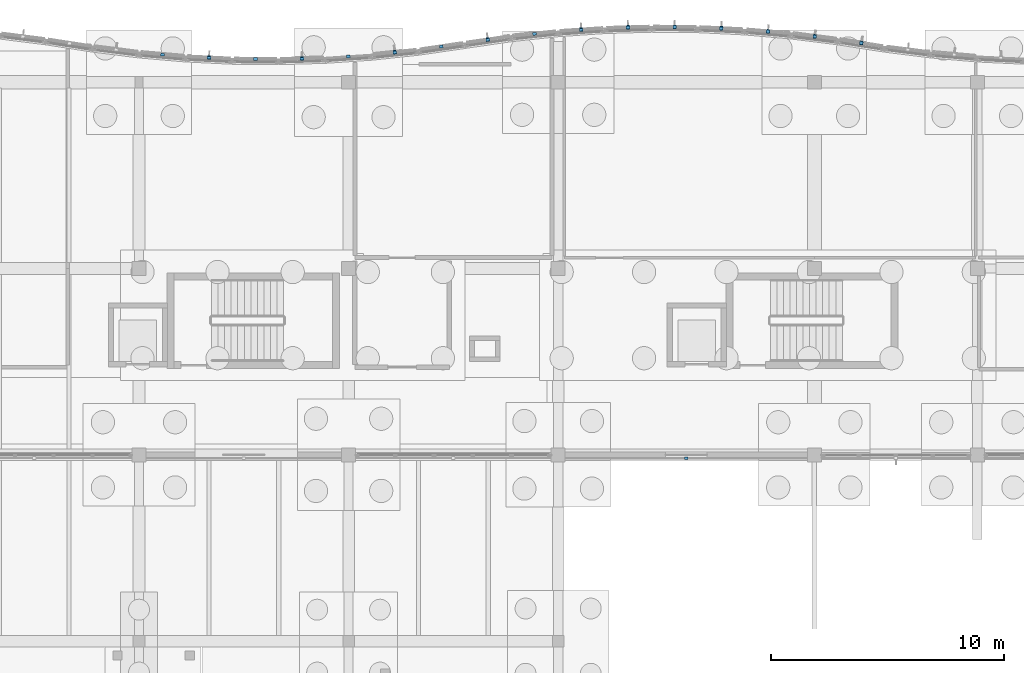
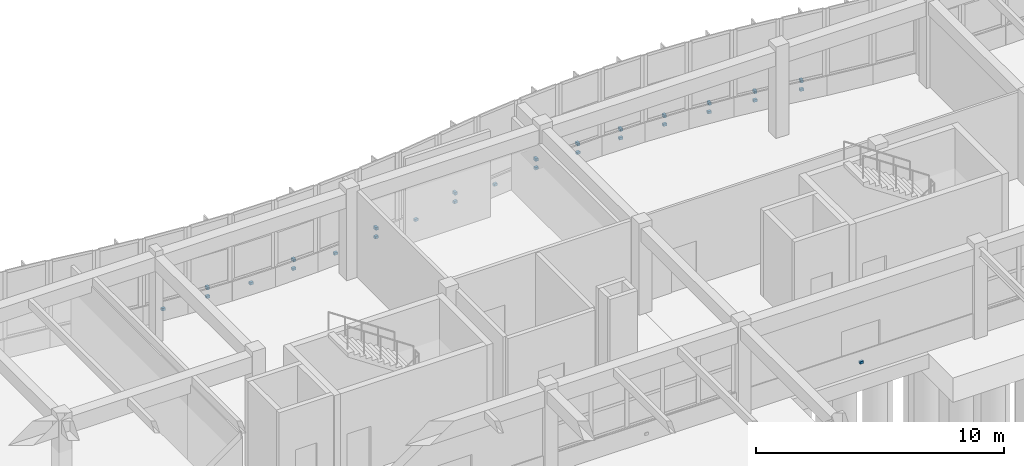
# One storey, part 82 of 99: 28 discrete accessories.
"""IFC4 building model written with IfcOpenShell, lengths in metres."""

from ifc_helpers import new_model, si_unit, direction, frame, origin, origin_2d, place, context, subcontext, project, spatial, rectangle, extrude, material, type_object, element, save


model = new_model("IFC4")

# Units and contexts
model_context = context("Model", 3, precision=1e-05, world=origin(), true_north=direction((0.0, 1.0)))
body_context = subcontext(model_context, "Body", "Model", "MODEL_VIEW")
ifc_project = project(units=[si_unit("LENGTHUNIT", "METRE"), si_unit("AREAUNIT", "SQUARE_METRE"), si_unit("VOLUMEUNIT", "CUBIC_METRE"), si_unit("PLANEANGLEUNIT", "RADIAN"), si_unit("MASSUNIT", "GRAM", prefix="KILO")], contexts=[model_context])

# Site, building, storey
site_placement = place(None, origin())
site = spatial("IfcSite", under=ifc_project, at=site_placement, CompositionType="ELEMENT")
building_placement = place(site_placement, origin())
building = spatial("IfcBuilding", under=site, at=building_placement, Name="Tonlespit Floodbar School", CompositionType="ELEMENT")
storey_placement = place(building_placement, origin())
storey = spatial("IfcBuildingStorey", under=building, at=storey_placement, Name="L00", CompositionType="ELEMENT", Elevation=0.0)

# Discrete accessories
ifc_material = material(Name="Galvanised Steel", Category="steel")
discrete_accessory_type = type_object("IfcDiscreteAccessoryType", Name="Bracket_Facade_S355", PredefinedType="BRACKET", material=ifc_material)
for number, where, z_axis, x_axis, name in (
    (1, (99.01123046875, 121.184814453125, 0.35498046875), (0.0, 0.0, 1.0), (0.996245486492, -0.086573267488, 0.0), "L00 white band support bracket 0028"),
    (2, (101.00634765625, 121.05029296875, 0.35498046875), (0.0, 0.0, 1.0), (0.998842769234, -0.048094930587, 0.0), "L00 white band support bracket 0029"),
):
    element("IfcDiscreteAccessory", number, at=place(storey_placement, frame(where, z_axis=z_axis, x_axis=x_axis)), inside=storey, type_object=discrete_accessory_type, Name=name, PredefinedType="BRACKET", context=body_context, shape_type="SweptSolid", body=[
        extrude(rectangle(XDim=0.159912109375, YDim=0.1201171875, at=origin_2d()), origin(), (0.0, 0.0, 1.0), 0.1201171875),
    ])
discrete_accessory_1_placement = place(storey_placement, frame((101.006591796875, 121.060302734375, 0.7802734375), z_axis=(0.0, 0.0, 1.0), x_axis=(0.998842769234, -0.048094930587, 0.0)))
element("IfcDiscreteAccessory", 3, at=discrete_accessory_1_placement, inside=storey, type_object=discrete_accessory_type, Name="Solar fin support bracket 014", PredefinedType="BRACKET", context=body_context, shape_type="SweptSolid", body=[
    extrude(rectangle(XDim=0.1201171875, YDim=0.179931640625, at=origin_2d()), origin(), (0.0, 0.0, 1.0), 0.139892578125),
])
for number, where, z_axis, x_axis, name in (
    (4, (103.001220703125, 120.99267578125, 0.35498046875), (0.0, 0.0, 1.0), (0.999953926969, -0.009599163462, 0.0), "L00 white band support bracket 0030"),
    (5, (104.996337890625, 121.01171875, 0.35498046875), (0.0, 0.0, 1.0), (0.999584110869, 0.02883756748, 0.0), "L00 white band support bracket 0031"),
):
    element("IfcDiscreteAccessory", number, at=place(storey_placement, frame(where, z_axis=z_axis, x_axis=x_axis)), inside=storey, type_object=discrete_accessory_type, Name=name, PredefinedType="BRACKET", context=body_context, shape_type="SweptSolid", body=[
        extrude(rectangle(XDim=0.159912109375, YDim=0.1201171875, at=origin_2d()), origin(), (0.0, 0.0, 1.0), 0.1201171875),
    ])
discrete_accessory_2_placement = place(storey_placement, frame((104.99609375, 121.021728515625, 0.7802734375), z_axis=(0.0, 0.0, 1.0), x_axis=(0.999584110869, 0.02883756748, 0.0)))
element("IfcDiscreteAccessory", 6, at=discrete_accessory_2_placement, inside=storey, type_object=discrete_accessory_type, Name="Solar fin support bracket 015", PredefinedType="BRACKET", context=body_context, shape_type="SweptSolid", body=[
    extrude(rectangle(XDim=0.1201171875, YDim=0.179931640625, at=origin_2d()), origin(), (0.0, 0.0, 1.0), 0.139892578125),
])
for number, where, z_axis, x_axis, name in (
    (7, (106.9912109375, 121.10791015625, 0.35498046875), (0.0, 0.0, 1.0), (0.997729639049, 0.067346621018, 0.0), "L00 white band support bracket 0032"),
    (8, (108.986328125, 121.28125, 0.35498046875), (0.0, 0.0, 1.0), (0.99439234017, 0.105753835922, 0.0), "L00 white band support bracket 0033"),
):
    element("IfcDiscreteAccessory", number, at=place(storey_placement, frame(where, z_axis=z_axis, x_axis=x_axis)), inside=storey, type_object=discrete_accessory_type, Name=name, PredefinedType="BRACKET", context=body_context, shape_type="SweptSolid", body=[
        extrude(rectangle(XDim=0.159912109375, YDim=0.1201171875, at=origin_2d()), origin(), (0.0, 0.0, 1.0), 0.1201171875),
    ])
discrete_accessory_3_placement = place(storey_placement, frame((108.985107421875, 121.291259765625, 0.7802734375), z_axis=(0.0, 0.0, 1.0), x_axis=(0.99439234017, 0.105753835922, 0.0)))
element("IfcDiscreteAccessory", 9, at=discrete_accessory_3_placement, inside=storey, type_object=discrete_accessory_type, Name="Solar fin support bracket 016", PredefinedType="BRACKET", context=body_context, shape_type="SweptSolid", body=[
    extrude(rectangle(XDim=0.1201171875, YDim=0.179931640625, at=origin_2d()), origin(), (0.0, 0.0, 1.0), 0.139892578125),
])
for number, where, z_axis, x_axis, name in (
    (10, (110.981201171875, 121.53271484375, 0.35498046875), (0.0, 0.0, 1.0), (0.989537627347, 0.144275029245, 0.0), "L00 white band support bracket 0034"),
    (11, (112.981201171875, 121.824462890625, 0.35498046875), (0.0, 0.0, 1.0), (0.989537627347, 0.144275029245, 0.0), "L00 white band support bracket 0035"),
):
    element("IfcDiscreteAccessory", number, at=place(storey_placement, frame(where, z_axis=z_axis, x_axis=x_axis)), inside=storey, type_object=discrete_accessory_type, Name=name, PredefinedType="BRACKET", context=body_context, shape_type="SweptSolid", body=[
        extrude(rectangle(XDim=0.159912109375, YDim=0.1201171875, at=origin_2d()), origin(), (0.0, 0.0, 1.0), 0.1201171875),
    ])
discrete_accessory_4_placement = place(storey_placement, frame((112.979736328125, 121.834228515625, 0.7802734375), z_axis=(0.0, 0.0, 1.0), x_axis=(0.989537627347, 0.144275029245, 0.0)))
element("IfcDiscreteAccessory", 12, at=discrete_accessory_4_placement, inside=storey, type_object=discrete_accessory_type, Name="Solar fin support bracket 017", PredefinedType="BRACKET", context=body_context, shape_type="SweptSolid", body=[
    extrude(rectangle(XDim=0.1201171875, YDim=0.179931640625, at=origin_2d()), origin(), (0.0, 0.0, 1.0), 0.139892578125),
])
for number, where, z_axis, x_axis, name in (
    (13, (114.986328125, 122.0771484375, 0.35498046875), (0.0, 0.0, 1.0), (0.99439234017, 0.105753835922, 0.0), "L00 white band support bracket 0036"),
    (14, (116.9912109375, 122.25146484375, 0.35498046875), (0.0, 0.0, 1.0), (0.997729639049, 0.067346621018, 0.0), "L00 white band support bracket 0589"),
):
    element("IfcDiscreteAccessory", number, at=place(storey_placement, frame(where, z_axis=z_axis, x_axis=x_axis)), inside=storey, type_object=discrete_accessory_type, Name=name, PredefinedType="BRACKET", context=body_context, shape_type="SweptSolid", body=[
        extrude(rectangle(XDim=0.159912109375, YDim=0.1201171875, at=origin_2d()), origin(), (0.0, 0.0, 1.0), 0.1201171875),
    ])
discrete_accessory_5_placement = place(storey_placement, frame((116.990478515625, 122.261474609375, 0.7802734375), z_axis=(0.0, 0.0, 1.0), x_axis=(0.997729639049, 0.067346621018, 0.0)))
element("IfcDiscreteAccessory", 15, at=discrete_accessory_5_placement, inside=storey, type_object=discrete_accessory_type, Name="Solar fin support bracket 192", PredefinedType="BRACKET", context=body_context, shape_type="SweptSolid", body=[
    extrude(rectangle(XDim=0.1201171875, YDim=0.179931640625, at=origin_2d()), origin(), (0.0, 0.0, 1.0), 0.139892578125),
])
discrete_accessory_6_placement = place(storey_placement, frame((118.996337890625, 122.34814453125, 0.35498046875), z_axis=(0.0, 0.0, 1.0), x_axis=(0.999584110869, 0.02883756748, 0.0)))
element("IfcDiscreteAccessory", 16, at=discrete_accessory_6_placement, inside=storey, type_object=discrete_accessory_type, Name="L00 white band support bracket 0590", PredefinedType="BRACKET", context=body_context, shape_type="SweptSolid", body=[
    extrude(rectangle(XDim=0.159912109375, YDim=0.1201171875, at=origin_2d()), origin(), (0.0, 0.0, 1.0), 0.1201171875),
])
discrete_accessory_7_placement = place(storey_placement, frame((118.99609375, 122.358154296875, 0.7802734375), z_axis=(0.0, 0.0, 1.0), x_axis=(0.999584110869, 0.02883756748, 0.0)))
element("IfcDiscreteAccessory", 17, at=discrete_accessory_7_placement, inside=storey, type_object=discrete_accessory_type, Name="Solar fin support bracket 193", PredefinedType="BRACKET", context=body_context, shape_type="SweptSolid", body=[
    extrude(rectangle(XDim=0.1201171875, YDim=0.179931640625, at=origin_2d()), origin(), (0.0, 0.0, 1.0), 0.139892578125),
])
discrete_accessory_8_placement = place(storey_placement, frame((121.001220703125, 122.367431640625, 0.35498046875), z_axis=(0.0, 0.0, 1.0), x_axis=(0.999953926969, -0.009599163462, 0.0)))
element("IfcDiscreteAccessory", 18, at=discrete_accessory_8_placement, inside=storey, type_object=discrete_accessory_type, Name="L00 white band support bracket 0591", PredefinedType="BRACKET", context=body_context, shape_type="SweptSolid", body=[
    extrude(rectangle(XDim=0.159912109375, YDim=0.1201171875, at=origin_2d()), origin(), (0.0, 0.0, 1.0), 0.1201171875),
])
discrete_accessory_9_placement = place(storey_placement, frame((121.001220703125, 122.37744140625, 0.7802734375), z_axis=(0.0, 0.0, 1.0), x_axis=(0.999953926969, -0.009599163462, 0.0)))
element("IfcDiscreteAccessory", 19, at=discrete_accessory_9_placement, inside=storey, type_object=discrete_accessory_type, Name="Solar fin support bracket 194", PredefinedType="BRACKET", context=body_context, shape_type="SweptSolid", body=[
    extrude(rectangle(XDim=0.1201171875, YDim=0.179931640625, at=origin_2d()), origin(), (0.0, 0.0, 1.0), 0.139892578125),
])
discrete_accessory_10_placement = place(storey_placement, frame((123.00634765625, 122.3095703125, 0.35498046875), z_axis=(0.0, 0.0, 1.0), x_axis=(0.998842769234, -0.048094930587, 0.0)))
element("IfcDiscreteAccessory", 20, at=discrete_accessory_10_placement, inside=storey, type_object=discrete_accessory_type, Name="L00 white band support bracket 0592", PredefinedType="BRACKET", context=body_context, shape_type="SweptSolid", body=[
    extrude(rectangle(XDim=0.159912109375, YDim=0.1201171875, at=origin_2d()), origin(), (0.0, 0.0, 1.0), 0.1201171875),
])
discrete_accessory_11_placement = place(storey_placement, frame((123.006591796875, 122.319580078125, 0.7802734375), z_axis=(0.0, 0.0, 1.0), x_axis=(0.998842769234, -0.048094930587, 0.0)))
element("IfcDiscreteAccessory", 21, at=discrete_accessory_11_placement, inside=storey, type_object=discrete_accessory_type, Name="Solar fin support bracket 195", PredefinedType="BRACKET", context=body_context, shape_type="SweptSolid", body=[
    extrude(rectangle(XDim=0.1201171875, YDim=0.179931640625, at=origin_2d()), origin(), (0.0, 0.0, 1.0), 0.139892578125),
])
discrete_accessory_12_placement = place(storey_placement, frame((125.01123046875, 122.174072265625, 0.35498046875), z_axis=(0.0, 0.0, 1.0), x_axis=(0.996245486492, -0.086573267488, 0.0)))
element("IfcDiscreteAccessory", 22, at=discrete_accessory_12_placement, inside=storey, type_object=discrete_accessory_type, Name="L00 white band support bracket 0593", PredefinedType="BRACKET", context=body_context, shape_type="SweptSolid", body=[
    extrude(rectangle(XDim=0.159912109375, YDim=0.1201171875, at=origin_2d()), origin(), (0.0, 0.0, 1.0), 0.1201171875),
])
discrete_accessory_13_placement = place(storey_placement, frame((125.01220703125, 122.18408203125, 0.7802734375), z_axis=(0.0, 0.0, 1.0), x_axis=(0.996245486492, -0.086573267488, 0.0)))
element("IfcDiscreteAccessory", 23, at=discrete_accessory_13_placement, inside=storey, type_object=discrete_accessory_type, Name="Solar fin support bracket 196", PredefinedType="BRACKET", context=body_context, shape_type="SweptSolid", body=[
    extrude(rectangle(XDim=0.1201171875, YDim=0.179931640625, at=origin_2d()), origin(), (0.0, 0.0, 1.0), 0.139892578125),
])
discrete_accessory_14_placement = place(storey_placement, frame((127.016357421875, 121.960693359375, 0.35498046875), z_axis=(0.0, 0.0, 1.0), x_axis=(0.99215533612, -0.125011155539, 0.0)))
element("IfcDiscreteAccessory", 24, at=discrete_accessory_14_placement, inside=storey, type_object=discrete_accessory_type, Name="L00 white band support bracket 0594", PredefinedType="BRACKET", context=body_context, shape_type="SweptSolid", body=[
    extrude(rectangle(XDim=0.159912109375, YDim=0.1201171875, at=origin_2d()), origin(), (0.0, 0.0, 1.0), 0.1201171875),
])
discrete_accessory_15_placement = place(storey_placement, frame((127.017578125, 121.970703125, 0.7802734375), z_axis=(0.0, 0.0, 1.0), x_axis=(0.99215533612, -0.125011155539, 0.0)))
element("IfcDiscreteAccessory", 25, at=discrete_accessory_15_placement, inside=storey, type_object=discrete_accessory_type, Name="Solar fin support bracket 197", PredefinedType="BRACKET", context=body_context, shape_type="SweptSolid", body=[
    extrude(rectangle(XDim=0.1201171875, YDim=0.179931640625, at=origin_2d()), origin(), (0.0, 0.0, 1.0), 0.139892578125),
])
discrete_accessory_16_placement = place(storey_placement, frame((129.02001953125, 121.678466796875, 0.35498046875), z_axis=(0.0, 0.0, 1.0), x_axis=(0.988094768361, -0.153846445322, 0.0)))
element("IfcDiscreteAccessory", 26, at=discrete_accessory_16_placement, inside=storey, type_object=discrete_accessory_type, Name="L00 white band support bracket 0595", PredefinedType="BRACKET", context=body_context, shape_type="SweptSolid", body=[
    extrude(rectangle(XDim=0.159912109375, YDim=0.1201171875, at=origin_2d()), origin(), (0.0, 0.0, 1.0), 0.1201171875),
])
discrete_accessory_17_placement = place(storey_placement, frame((129.021484375, 121.688232421875, 0.7802734375), z_axis=(0.0, 0.0, 1.0), x_axis=(0.988094768361, -0.153846445322, 0.0)))
element("IfcDiscreteAccessory", 27, at=discrete_accessory_17_placement, inside=storey, type_object=discrete_accessory_type, Name="Solar fin support bracket 198", PredefinedType="BRACKET", context=body_context, shape_type="SweptSolid", body=[
    extrude(rectangle(XDim=0.1201171875, YDim=0.179931640625, at=origin_2d()), origin(), (0.0, 0.0, 1.0), 0.139892578125),
])
discrete_accessory_18_placement = place(storey_placement, frame((121.5, 103.85009765625, 0.3798828125), z_axis=(0.0, 0.0, 1.0), x_axis=(-1.0, 0.0, 0.0)))
element("IfcDiscreteAccessory", 28, at=discrete_accessory_18_placement, inside=storey, type_object=discrete_accessory_type, Name="L00 white band support bracket 0623", PredefinedType="BRACKET", context=body_context, shape_type="SweptSolid", body=[
    extrude(rectangle(XDim=0.159912109375, YDim=0.1201171875, at=origin_2d()), origin(), (0.0, 0.0, 1.0), 0.1201171875),
])

save(model, "model.ifc")
